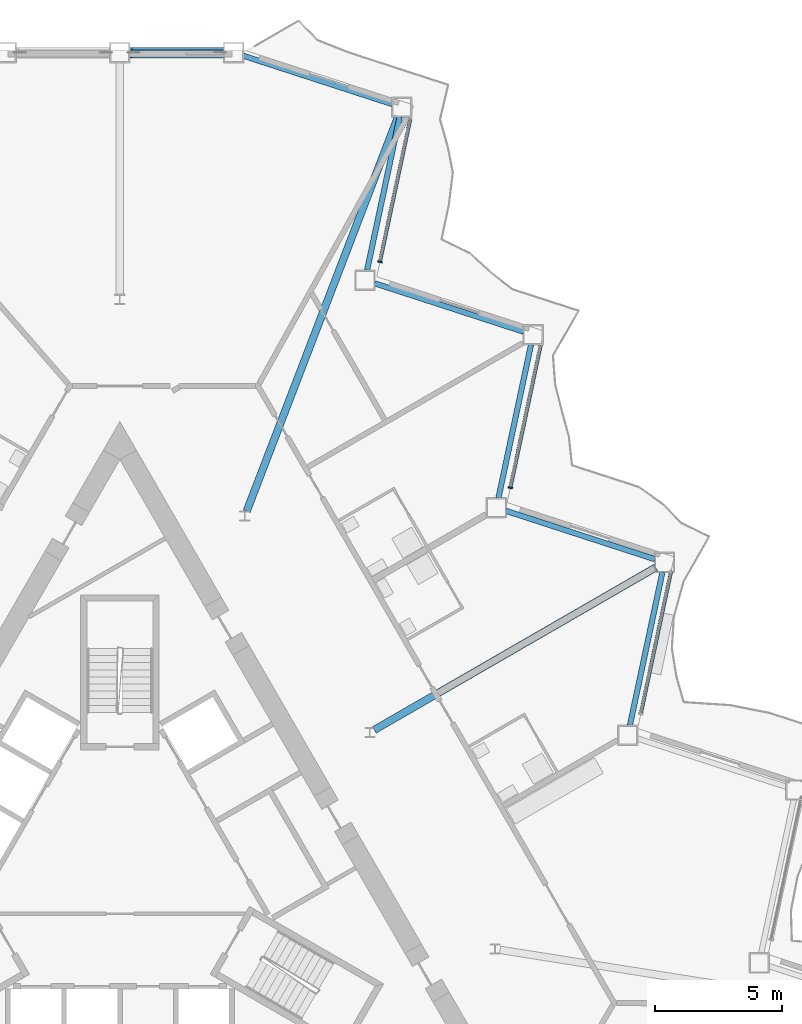
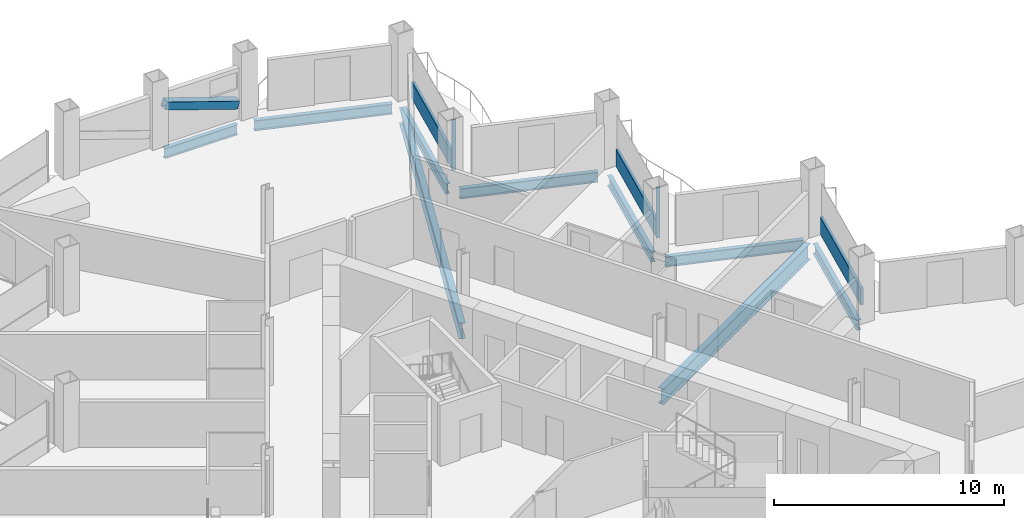
# One storey, part 8 of 23: 9 beams, 6 members, 3 elements without a shape of their own.
"""IFC4 building model written with IfcOpenShell, lengths in metres."""

from ifc_helpers import new_model, si_unit, direction, frame, origin, origin_2d, place, context, subcontext, project, spatial, rectangle, hollow_rectangle, i_section, extrude, material, layer, layer_set, material_profile, profile_set, type_object, element, aggregate, save


model = new_model("IFC4")

# Units and contexts
model_context = context("Model", 3, precision=1e-05, world=origin(), true_north=direction((0.0, 1.0)))
body_context = subcontext(model_context, "Body", "Model", "MODEL_VIEW")
ifc_project = project(units=[si_unit("LENGTHUNIT", "METRE"), si_unit("AREAUNIT", "SQUARE_METRE"), si_unit("VOLUMEUNIT", "CUBIC_METRE"), si_unit("PLANEANGLEUNIT", "RADIAN"), si_unit("MASSUNIT", "GRAM", prefix="KILO")], contexts=[model_context])

# Site, building, storey
site_placement = place(None, origin())
site = spatial("IfcSite", under=ifc_project, at=site_placement, CompositionType="ELEMENT")
building_placement = place(site_placement, origin())
building = spatial("IfcBuilding", under=site, at=building_placement, Name="Cormorant Prow Tower", CompositionType="ELEMENT")
storey_placement = place(building_placement, frame((0.0, 0.0, 187.199951171875)))
storey = spatial("IfcBuildingStorey", under=building, at=storey_placement, Name="L40", CompositionType="ELEMENT", Elevation=187.199951171875)

# Member
ifc_material_1 = material(Name="Structural steel ASTM A500 Gr C", Category="steel")
ifc_material_profile_1 = material_profile(ifc_material_1, hollow_rectangle(XDim=0.406494140625, YDim=0.406494140625, WallThickness=0.01171875, at=origin_2d()), Name="HSS16x16x1/2")
ifc_profile_set_1 = profile_set([ifc_material_profile_1], Name="Structural steel ASTM A500 Gr C")
member_type_1 = type_object("IfcMemberType", Name="Chamfer brace HSS16x16x1/2", PredefinedType="BRACE", material=ifc_profile_set_1)
member_1_placement = place(storey_placement, frame((4.05322265625, 32.3994140625, 0.739990234375), z_axis=(-0.947980792039, 0.0, 0.318327532464), x_axis=(0.0, -1.0, 0.0)))
element("IfcMember", 1, at=member_1_placement, inside=storey, type_object=member_type_1, Name="Chamfer brace BR2 at N00 L40", PredefinedType="BRACE", context=body_context, shape_type="SweptSolid", body=[
    extrude(hollow_rectangle(XDim=0.406494140625, YDim=0.406494140625, WallThickness=0.01171875, at=origin_2d()), origin(), (0.0, 0.0, 1.0), 3.83544921875),
])

# Curtain wall, member
ifc_material_2 = material(Name="Aluminium 6063-T6", Category="aluminium")
ifc_layer = layer(ifc_material_2, 0.179931640625)
ifc_layer_set = layer_set([ifc_layer], Name="Aluminium 6063-T6")
curtain_wall_type = type_object("IfcCurtainWallType", Name="Hotel unitised curtain wall 180", PredefinedType="NOTDEFINED", material=ifc_layer_set)
curtain_wall_1_placement = place(storey_placement, origin())
curtain_wall_1 = element("IfcCurtainWall", 2, at=curtain_wall_1_placement, inside=storey, type_object=curtain_wall_type, Name="Hotel curtain wall ENE06", PredefinedType="NOTDEFINED")
ifc_material_3 = material(Name="Aluminium 6063-T6", Category="aluminium")
ifc_material_profile_2 = material_profile(ifc_material_3, rectangle(XDim=0.179931640625, YDim=0.06005859375, at=origin_2d()), Name="Hotel mullion 60x180")
ifc_profile_set_2 = profile_set([ifc_material_profile_2], Name="Aluminium 6063-T6")
member_type_2 = type_object("IfcMemberType", Name="Hotel mullion 60x180", PredefinedType="MULLION", material=ifc_profile_set_2)
member_2_placement = place(storey_placement, frame((15.350341796875, 15.2958984375, 0.0), z_axis=(0.0, 0.0, 1.0), x_axis=(-0.978147585359, 0.207911763151, 0.0)))
member_2 = element("IfcMember", 3, at=member_2_placement, type_object=member_type_2, Name="Hotel mullion ENE06", PredefinedType="MULLION", context=body_context, shape_type="SweptSolid", body=[
    extrude(rectangle(XDim=0.179931640625, YDim=0.06005859375, at=origin_2d()), origin(), (0.0, 0.0, 1.0), 2.700927734375),
])

curtain_wall_2_placement = place(storey_placement, origin())
curtain_wall_2 = element("IfcCurtainWall", 4, at=curtain_wall_2_placement, inside=storey, type_object=curtain_wall_type, Name="Hotel curtain wall ENE08", PredefinedType="NOTDEFINED")
member_3_placement = place(storey_placement, frame((10.223388671875, 24.176513671875, 0.0), z_axis=(0.0, 0.0, 1.0), x_axis=(-0.978147621102, 0.207911594993, 0.0)))
member_3 = element("IfcMember", 5, at=member_3_placement, type_object=member_type_2, Name="Hotel mullion ENE08", PredefinedType="MULLION", context=body_context, shape_type="SweptSolid", body=[
    extrude(rectangle(XDim=0.179931640625, YDim=0.06005859375, at=origin_2d()), origin(), (0.0, 0.0, 1.0), 2.700927734375),
])

curtain_wall_3_placement = place(storey_placement, origin())
curtain_wall_3 = element("IfcCurtainWall", 6, at=curtain_wall_3_placement, inside=storey, type_object=curtain_wall_type, Name="Hotel curtain wall ENE04", PredefinedType="NOTDEFINED")
ifc_material_4 = material(Name="Terracotta", Category="masonry")
ifc_material_profile_3 = material_profile(ifc_material_4, rectangle(XDim=0.139892578125, YDim=0.89990234375, at=origin_2d()), Name="Hotel terracotta spandrel rail 140x900")
ifc_profile_set_3 = profile_set([ifc_material_profile_3], Name="Terracotta")
member_type_3 = type_object("IfcMemberType", Name="Hotel terracotta spandrel rail 140x900", PredefinedType="USERDEFINED", material=ifc_profile_set_3)
member_4_placement = place(storey_placement, frame((20.483642578125, 6.44482421875, 0.449951171875), z_axis=(0.207915072454, 0.978146881939, 0.0), x_axis=(-0.978146881939, 0.207915072454, 0.0)))
member_4 = element("IfcMember", 7, at=member_4_placement, type_object=member_type_3, Name="Hotel spandrel rail ENE04", ObjectType="TRANSOM", PredefinedType="USERDEFINED", context=body_context, shape_type="SweptSolid", body=[
    extrude(rectangle(XDim=0.139892578125, YDim=0.89990234375, at=origin_2d()), origin(), (0.0, 0.0, 1.0), 5.703125),
])
aggregate(curtain_wall_3, [member_4])

# Member
member_5_placement = place(storey_placement, frame((15.356689453125, 15.325439453125, 0.449951171875), z_axis=(0.207923778595, 0.978145031319, 0.0), x_axis=(-0.978145031319, 0.207923778595, 0.0)))
member_5 = element("IfcMember", 8, at=member_5_placement, type_object=member_type_3, Name="Hotel spandrel rail ENE06", ObjectType="TRANSOM", PredefinedType="USERDEFINED", context=body_context, shape_type="SweptSolid", body=[
    extrude(rectangle(XDim=0.139892578125, YDim=0.89990234375, at=origin_2d()), origin(), (0.0, 0.0, 1.0), 5.703125),
])

aggregate(curtain_wall_1, [member_2, member_5])

member_6_placement = place(storey_placement, frame((10.2294921875, 24.205810546875, 0.449951171875), z_axis=(0.207915072454, 0.978146881939, 0.0), x_axis=(-0.978146881939, 0.207915072454, 0.0)))
member_6 = element("IfcMember", 9, at=member_6_placement, type_object=member_type_3, Name="Hotel spandrel rail ENE08", ObjectType="TRANSOM", PredefinedType="USERDEFINED", context=body_context, shape_type="SweptSolid", body=[
    extrude(rectangle(XDim=0.139892578125, YDim=0.89990234375, at=origin_2d()), origin(), (0.0, 0.0, 1.0), 5.703125),
])

aggregate(curtain_wall_2, [member_3, member_6])

# Beams
ifc_material_5 = material(Name="Structural steel ASTM A992 Gr 50", Category="steel")
ifc_material_profile_4 = material_profile(ifc_material_5, i_section(OverallWidth=0.29296875, OverallDepth=0.845703125, WebThickness=0.015380859375, FlangeThickness=0.0244140625, at=origin_2d()), Name="W33x141")
ifc_profile_set_4 = profile_set([ifc_material_profile_4], Name="Structural steel ASTM A992 Gr 50")
beam_type_1 = type_object("IfcBeamType", Name="Radial floor beam W33x141", PredefinedType="BEAM", material=ifc_profile_set_4)
beam_1_placement = place(storey_placement, frame((10.0048828125, 5.7763671875, -0.77294921875), z_axis=(0.866026069776, 0.499998846467, 0.0), x_axis=(-0.499998846467, 0.866026069776, 0.0)))
element("IfcBeam", 10, at=beam_1_placement, inside=storey, type_object=beam_type_1, Name="Radial floor beam FB2 11 L40", PredefinedType="BEAM", context=body_context, shape_type="SweptSolid", body=[
    extrude(i_section(OverallWidth=0.29296875, OverallDepth=0.845703125, WebThickness=0.015380859375, FlangeThickness=0.0244140625, at=origin_2d()), origin(), (0.0, 0.0, 1.0), 12.76904296875),
])
beam_2_placement = place(storey_placement, frame((4.9873046875, 14.376220703125, -0.77294921875), z_axis=(0.358301123829, 0.933606075742, 0.0), x_axis=(-0.933606075742, 0.358301123829, 0.0)))
element("IfcBeam", 11, at=beam_2_placement, inside=storey, type_object=beam_type_1, Name="Radial floor beam FB2 12 L40", PredefinedType="BEAM", context=body_context, shape_type="SweptSolid", body=[
    extrude(i_section(OverallWidth=0.29296875, OverallDepth=0.845703125, WebThickness=0.015380859375, FlangeThickness=0.0244140625, at=origin_2d()), origin(), (0.0, 0.0, 1.0), 16.604736328125),
])
ifc_material_6 = material(Name="Structural steel ASTM A992 Gr 50", Category="steel")
ifc_material_profile_5 = material_profile(ifc_material_6, i_section(OverallWidth=0.2138671875, OverallDepth=0.549072265625, WebThickness=0.0146484375, FlangeThickness=0.023681640625, at=origin_2d()), Name="W21x93")
ifc_profile_set_5 = profile_set([ifc_material_profile_5], Name="Structural steel ASTM A992 Gr 50")
beam_type_2 = type_object("IfcBeamType", Name="Spandrel beam W21x93", PredefinedType="SPANDREL", material=ifc_profile_set_5)
beam_3_placement = place(storey_placement, frame((20.0478515625, 5.9541015625, -0.62451171875), z_axis=(0.207904811195, 0.978149063018, 0.0), x_axis=(-0.978149063018, 0.207904811195, 0.0)))
element("IfcBeam", 12, at=beam_3_placement, inside=storey, type_object=beam_type_2, Name="Spandrel beam SB2 ENE04-ENE05 L40", PredefinedType="SPANDREL", context=body_context, shape_type="SweptSolid", body=[
    extrude(i_section(OverallWidth=0.2138671875, OverallDepth=0.549072265625, WebThickness=0.0146484375, FlangeThickness=0.023681640625, at=origin_2d()), origin(), (0.0, 0.0, 1.0), 6.149658203125),
])
beam_4_placement = place(storey_placement, frame((21.029052734375, 12.484375, -0.62451171875), z_axis=(-0.951057696564, 0.309013361859, 0.0), x_axis=(-0.309013361859, -0.951057696564, 0.0)))
element("IfcBeam", 13, at=beam_4_placement, inside=storey, type_object=beam_type_2, Name="Spandrel beam SB2 ENE05-ENE06 L40", PredefinedType="SPANDREL", context=body_context, shape_type="SweptSolid", body=[
    extrude(i_section(OverallWidth=0.2138671875, OverallDepth=0.549072265625, WebThickness=0.0146484375, FlangeThickness=0.023681640625, at=origin_2d()), origin(), (0.0, 0.0, 1.0), 6.14990234375),
])
beam_5_placement = place(storey_placement, frame((14.883056640625, 14.899658203125, -0.62451171875), z_axis=(0.207904811195, 0.978149063018, 0.0), x_axis=(-0.978149063018, 0.207904811195, 0.0)))
element("IfcBeam", 14, at=beam_5_placement, inside=storey, type_object=beam_type_2, Name="Spandrel beam SB2 ENE06-ENE07 L40", PredefinedType="SPANDREL", context=body_context, shape_type="SweptSolid", body=[
    extrude(i_section(OverallWidth=0.2138671875, OverallDepth=0.549072265625, WebThickness=0.0146484375, FlangeThickness=0.023681640625, at=origin_2d()), origin(), (0.0, 0.0, 1.0), 6.149658203125),
])
beam_6_placement = place(storey_placement, frame((15.864501953125, 21.429931640625, -0.62451171875), z_axis=(-0.951057696564, 0.309013361859, 0.0), x_axis=(-0.309013361859, -0.951057696564, 0.0)))
element("IfcBeam", 15, at=beam_6_placement, inside=storey, type_object=beam_type_2, Name="Spandrel beam SB2 ENE07-ENE08 L40", PredefinedType="SPANDREL", context=body_context, shape_type="SweptSolid", body=[
    extrude(i_section(OverallWidth=0.2138671875, OverallDepth=0.549072265625, WebThickness=0.0146484375, FlangeThickness=0.023681640625, at=origin_2d()), origin(), (0.0, 0.0, 1.0), 6.14990234375),
])
beam_7_placement = place(storey_placement, frame((9.71826171875, 23.84521484375, -0.62451171875), z_axis=(0.207904811195, 0.978149063018, 0.0), x_axis=(-0.978149063018, 0.207904811195, 0.0)))
element("IfcBeam", 16, at=beam_7_placement, inside=storey, type_object=beam_type_2, Name="Spandrel beam SB2 ENE08-ENE09 L40", PredefinedType="SPANDREL", context=body_context, shape_type="SweptSolid", body=[
    extrude(i_section(OverallWidth=0.2138671875, OverallDepth=0.549072265625, WebThickness=0.0146484375, FlangeThickness=0.023681640625, at=origin_2d()), origin(), (0.0, 0.0, 1.0), 6.149658203125),
])
beam_8_placement = place(storey_placement, frame((10.69970703125, 30.37548828125, -0.62451171875), z_axis=(-0.951057696564, 0.309013361859, 0.0), x_axis=(-0.309013361859, -0.951057696564, 0.0)))
element("IfcBeam", 17, at=beam_8_placement, inside=storey, type_object=beam_type_2, Name="Spandrel beam SB2 ENE09-N00 L40", PredefinedType="SPANDREL", context=body_context, shape_type="SweptSolid", body=[
    extrude(i_section(OverallWidth=0.2138671875, OverallDepth=0.549072265625, WebThickness=0.0146484375, FlangeThickness=0.023681640625, at=origin_2d()), origin(), (0.0, 0.0, 1.0), 6.14990234375),
])
beam_9_placement = place(storey_placement, frame((4.0703125, 32.3994140625, -0.62451171875), z_axis=(-1.0, 0.0, 0.0), x_axis=(0.0, -1.0, 0.0)))
element("IfcBeam", 18, at=beam_9_placement, inside=storey, type_object=beam_type_2, Name="Spandrel beam SB2 N00-N01 L40", PredefinedType="SPANDREL", context=body_context, shape_type="SweptSolid", body=[
    extrude(i_section(OverallWidth=0.2138671875, OverallDepth=0.549072265625, WebThickness=0.0146484375, FlangeThickness=0.023681640625, at=origin_2d()), origin(), (0.0, 0.0, 1.0), 3.67041015625),
])

save(model, "model.ifc")
